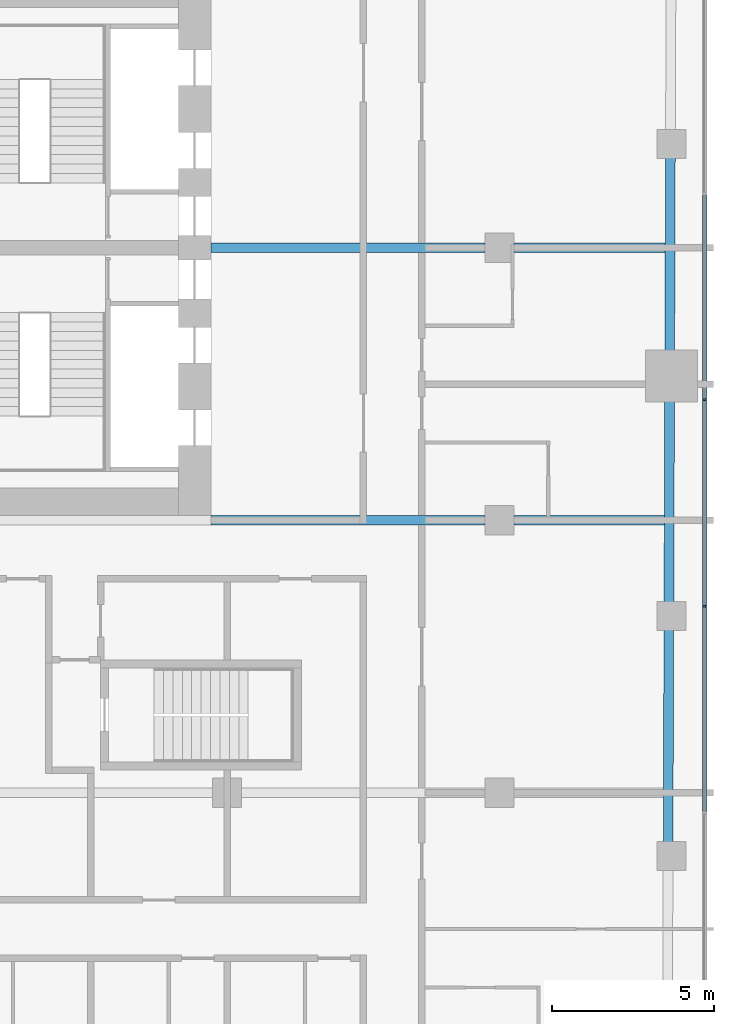
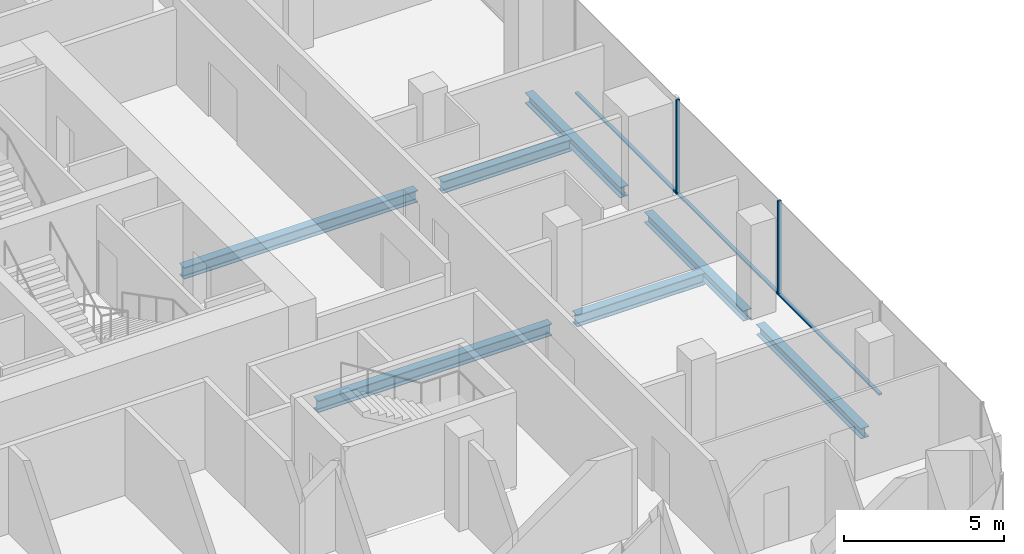
# One storey, part 7 of 23: 7 beams, 5 members, 1 element without a shape of its own.
"""IFC4 building model written with IfcOpenShell, lengths in metres."""

from ifc_helpers import new_model, si_unit, direction, frame, origin, origin_2d, place, context, subcontext, project, spatial, rectangle, i_section, extrude, material, layer, layer_set, material_profile, profile_set, type_object, element, aggregate, save


model = new_model("IFC4")

# Units and contexts
model_context = context("Model", 3, precision=1e-05, world=origin(), true_north=direction((0.0, 1.0)))
body_context = subcontext(model_context, "Body", "Model", "MODEL_VIEW")
ifc_project = project(units=[si_unit("LENGTHUNIT", "METRE"), si_unit("AREAUNIT", "SQUARE_METRE"), si_unit("VOLUMEUNIT", "CUBIC_METRE"), si_unit("PLANEANGLEUNIT", "RADIAN"), si_unit("MASSUNIT", "GRAM", prefix="KILO")], contexts=[model_context])

# Site, building, storey
site_placement = place(None, origin())
site = spatial("IfcSite", under=ifc_project, at=site_placement, CompositionType="ELEMENT")
building_placement = place(site_placement, origin())
building = spatial("IfcBuilding", under=site, at=building_placement, Name="Marenta Gate Hotel Tower", CompositionType="ELEMENT")
storey_placement = place(building_placement, frame((0.0, 0.0, 148.10009765625)))
storey = spatial("IfcBuildingStorey", under=building, at=storey_placement, Name="L34", CompositionType="ELEMENT", Elevation=148.10009765625)

# Beams
ifc_material_1 = material(Name="Steel S355", Category="steel")
ifc_material_profile_1 = material_profile(ifc_material_1, i_section(OverallWidth=0.300048828125, OverallDepth=0.39990234375, WebThickness=0.013427734375, FlangeThickness=0.02392578125, FilletRadius=0.027099609375, at=origin_2d()), Name="HEB 400")
ifc_profile_set_1 = profile_set([ifc_material_profile_1], Name="Steel S355")
beam_type_1 = type_object("IfcBeamType", Name="Edge beam HEB 400", PredefinedType="SPANDREL", material=ifc_profile_set_1)
beam_1_placement = place(storey_placement, frame((26.26416015625, 11.193115234375, -0.460205078125), z_axis=(-0.003305160059, -0.999994537944, 0.0), x_axis=(0.999994537944, -0.003305160059, 0.0)))
element("IfcBeam", 1, at=beam_1_placement, inside=storey, type_object=beam_type_1, Name="L34-EB-24", PredefinedType="SPANDREL", context=body_context, shape_type="SweptSolid", body=[
    extrude(i_section(OverallWidth=0.300048828125, OverallDepth=0.39990234375, WebThickness=0.013427734375, FlangeThickness=0.02392578125, FilletRadius=0.027099609375, at=origin_2d()), origin(), (0.0, 0.0, 1.0), 5.983154296875),
])
beam_2_placement = place(storey_placement, frame((26.2392578125, 3.68994140625, -0.460205078125), z_axis=(-0.003330441525, -0.999994454064, 0.0), x_axis=(0.999994454064, -0.003330441525, 0.0)))
element("IfcBeam", 2, at=beam_2_placement, inside=storey, type_object=beam_type_1, Name="L34-EB-25", PredefinedType="SPANDREL", context=body_context, shape_type="SweptSolid", body=[
    extrude(i_section(OverallWidth=0.300048828125, OverallDepth=0.39990234375, WebThickness=0.013427734375, FlangeThickness=0.02392578125, FilletRadius=0.027099609375, at=origin_2d()), origin(), (0.0, 0.0, 1.0), 6.23095703125),
])
beam_3_placement = place(storey_placement, frame((26.2158203125, -3.36083984375, -0.460205078125), z_axis=(-0.00333875569, -0.99999442634, 0.0), x_axis=(0.99999442634, -0.00333875569, 0.0)))
element("IfcBeam", 3, at=beam_3_placement, inside=storey, type_object=beam_type_1, Name="L34-EB-26", PredefinedType="SPANDREL", context=body_context, shape_type="SweptSolid", body=[
    extrude(i_section(OverallWidth=0.300048828125, OverallDepth=0.39990234375, WebThickness=0.013427734375, FlangeThickness=0.02392578125, FilletRadius=0.027099609375, at=origin_2d()), origin(), (0.0, 0.0, 1.0), 6.5810546875),
])
ifc_material_2 = material(Name="Steel S355", Category="steel")
ifc_material_profile_2 = material_profile(ifc_material_2, i_section(OverallWidth=0.300048828125, OverallDepth=0.449951171875, WebThickness=0.013916015625, FlangeThickness=0.02587890625, FilletRadius=0.027099609375, at=origin_2d()), Name="HEB 450")
ifc_profile_set_2 = profile_set([ifc_material_profile_2], Name="Steel S355")
beam_type_2 = type_object("IfcBeamType", Name="Girder HEB 450", PredefinedType="BEAM", material=ifc_profile_set_2)
beam_4_placement = place(storey_placement, frame((12.10009765625, 0.0, -0.485107421875), z_axis=(1.0, 0.0, 0.0), x_axis=(0.0, 1.0, 0.0)))
element("IfcBeam", 4, at=beam_4_placement, inside=storey, type_object=beam_type_2, Name="L34-GD-18", PredefinedType="BEAM", context=body_context, shape_type="SweptSolid", body=[
    extrude(i_section(OverallWidth=0.300048828125, OverallDepth=0.449951171875, WebThickness=0.013916015625, FlangeThickness=0.02587890625, FilletRadius=0.027099609375, at=origin_2d()), origin(), (0.0, 0.0, 1.0), 8.449951171875),
])
beam_5_placement = place(storey_placement, frame((21.449951171875, 0.0, -0.485107421875), z_axis=(1.0, 0.0, 0.0), x_axis=(0.0, 1.0, 0.0)))
element("IfcBeam", 5, at=beam_5_placement, inside=storey, type_object=beam_type_2, Name="L34-GD-19", PredefinedType="BEAM", context=body_context, shape_type="SweptSolid", body=[
    extrude(i_section(OverallWidth=0.300048828125, OverallDepth=0.449951171875, WebThickness=0.013916015625, FlangeThickness=0.02587890625, FilletRadius=0.027099609375, at=origin_2d()), origin(), (0.0, 0.0, 1.0), 4.626953125),
])
beam_6_placement = place(storey_placement, frame((12.10009765625, 8.39990234375, -0.485107421875), z_axis=(1.0, 0.0, 0.0), x_axis=(0.0, 1.0, 0.0)))
element("IfcBeam", 6, at=beam_6_placement, inside=storey, type_object=beam_type_2, Name="L34-GD-22", PredefinedType="BEAM", context=body_context, shape_type="SweptSolid", body=[
    extrude(i_section(OverallWidth=0.300048828125, OverallDepth=0.449951171875, WebThickness=0.013916015625, FlangeThickness=0.02587890625, FilletRadius=0.027099609375, at=origin_2d()), origin(), (0.0, 0.0, 1.0), 8.449951171875),
])
beam_7_placement = place(storey_placement, frame((21.449951171875, 8.39990234375, -0.485107421875), z_axis=(1.0, 0.0, 0.0), x_axis=(0.0, 1.0, 0.0)))
element("IfcBeam", 7, at=beam_7_placement, inside=storey, type_object=beam_type_2, Name="L34-GD-23", PredefinedType="BEAM", context=body_context, shape_type="SweptSolid", body=[
    extrude(i_section(OverallWidth=0.300048828125, OverallDepth=0.449951171875, WebThickness=0.013916015625, FlangeThickness=0.02587890625, FilletRadius=0.027099609375, at=origin_2d()), origin(), (0.0, 0.0, 1.0), 4.655029296875),
])

# Curtain wall, members
ifc_material_3 = material(Name="Tinted insulated glass in bronze anodised frame", Category="glass")
ifc_layer = layer(ifc_material_3, 0.1201171875)
ifc_layer_set = layer_set([ifc_layer], Name="Tinted insulated glass in bronze anodised frame")
curtain_wall_type = type_object("IfcCurtainWallType", Name="Tower unitised curtain wall CW1", PredefinedType="NOTDEFINED", material=ifc_layer_set)
curtain_wall_placement = place(storey_placement, origin())
curtain_wall = element("IfcCurtainWall", 8, at=curtain_wall_placement, inside=storey, type_object=curtain_wall_type, Name="CW1 run G11", PredefinedType="NOTDEFINED")
ifc_material_4 = material(Name="Bronze anodised aluminium", Category="aluminium")
ifc_material_profile_3 = material_profile(ifc_material_4, rectangle(XDim=0.1201171875, YDim=0.06005859375, at=origin_2d()), Name="Mullion CW1 60x120 bronze anodised aluminium")
ifc_profile_set_3 = profile_set([ifc_material_profile_3], Name="Bronze anodised aluminium")
member_type_1 = type_object("IfcMemberType", Name="Mullion CW1 60x120 bronze anodised aluminium", PredefinedType="MULLION", material=ifc_profile_set_3)
member_1_placement = place(storey_placement, frame((27.31396484375, -2.64794921875, 0.0), z_axis=(0.0, 0.0, 1.0), x_axis=(-1.0, 0.0, 0.0)))
member_1 = element("IfcMember", 9, at=member_1_placement, type_object=member_type_1, Name="CW1 mullion 3", PredefinedType="MULLION", context=body_context, shape_type="SweptSolid", body=[
    extrude(rectangle(XDim=0.1201171875, YDim=0.06005859375, at=origin_2d()), origin(), (0.0, 0.0, 1.0), 3.599853515625),
])
member_2_placement = place(storey_placement, frame((27.31396484375, 3.7119140625, 0.0), z_axis=(0.0, 0.0, 1.0), x_axis=(-1.0, 0.0, 0.0)))
member_2 = element("IfcMember", 10, at=member_2_placement, type_object=member_type_1, Name="CW1 mullion 4", PredefinedType="MULLION", context=body_context, shape_type="SweptSolid", body=[
    extrude(rectangle(XDim=0.1201171875, YDim=0.06005859375, at=origin_2d()), origin(), (0.0, 0.0, 1.0), 3.599853515625),
])
ifc_material_5 = material(Name="Bronze anodised aluminium", Category="aluminium")
ifc_material_profile_4 = material_profile(ifc_material_5, rectangle(XDim=0.1201171875, YDim=0.06005859375, at=origin_2d()), Name="Transom CW1 60x120 bronze anodised aluminium")
ifc_profile_set_4 = profile_set([ifc_material_profile_4], Name="Bronze anodised aluminium")
member_type_2 = type_object("IfcMemberType", Name="Transom CW1 60x120 bronze anodised aluminium", PredefinedType="USERDEFINED", material=ifc_profile_set_4)
member_3_placement = place(storey_placement, frame((27.31396484375, -8.97802734375, 0.02978515625), z_axis=(0.0, 1.0, 0.0), x_axis=(-1.0, 0.0, 0.0)))
member_3 = element("IfcMember", 11, at=member_3_placement, type_object=member_type_2, Name="CW1 transom 2.1", ObjectType="TRANSOM", PredefinedType="USERDEFINED", context=body_context, shape_type="SweptSolid", body=[
    extrude(rectangle(XDim=0.1201171875, YDim=0.06005859375, at=origin_2d()), origin(), (0.0, 0.0, 1.0), 6.300048828125),
])
member_4_placement = place(storey_placement, frame((27.31396484375, -2.617919921875, 0.02978515625), z_axis=(0.0, 1.0, 0.0), x_axis=(-1.0, 0.0, 0.0)))
member_4 = element("IfcMember", 12, at=member_4_placement, type_object=member_type_2, Name="CW1 transom 3.1", ObjectType="TRANSOM", PredefinedType="USERDEFINED", context=body_context, shape_type="SweptSolid", body=[
    extrude(rectangle(XDim=0.1201171875, YDim=0.06005859375, at=origin_2d()), origin(), (0.0, 0.0, 1.0), 6.2998046875),
])
member_5_placement = place(storey_placement, frame((27.31396484375, 3.741943359375, 0.02978515625), z_axis=(0.0, 1.0, 0.0), x_axis=(-1.0, 0.0, 0.0)))
member_5 = element("IfcMember", 13, at=member_5_placement, type_object=member_type_2, Name="CW1 transom 4.1", ObjectType="TRANSOM", PredefinedType="USERDEFINED", context=body_context, shape_type="SweptSolid", body=[
    extrude(rectangle(XDim=0.1201171875, YDim=0.06005859375, at=origin_2d()), origin(), (0.0, 0.0, 1.0), 6.300048828125),
])
aggregate(curtain_wall, [member_1, member_2, member_3, member_4, member_5])

save(model, "model.ifc")
